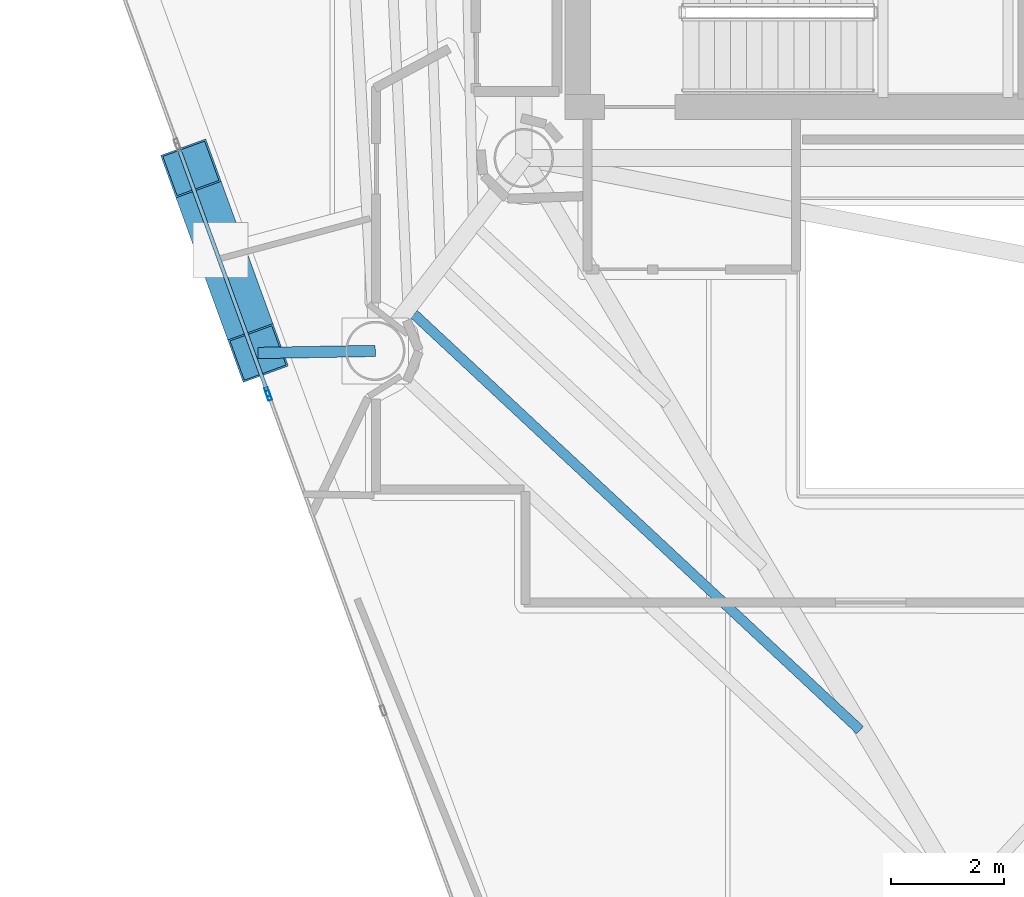
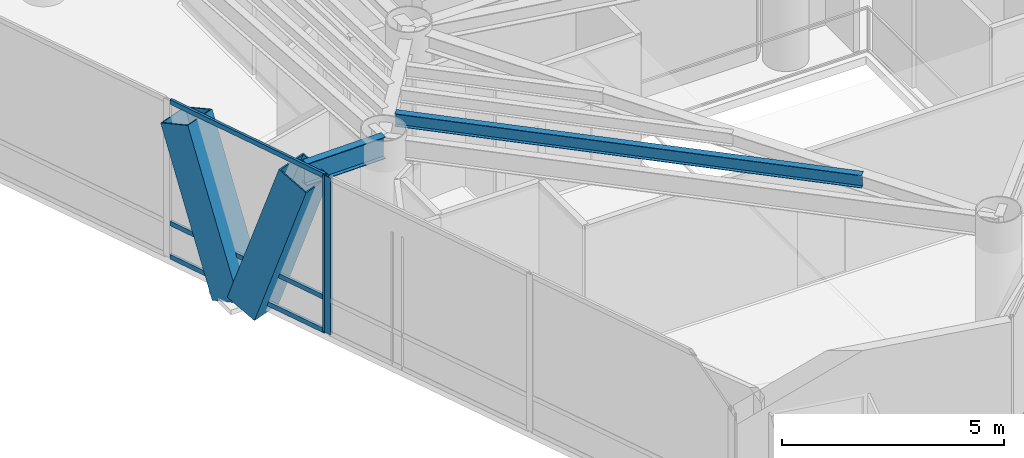
# One storey, part 3 of 21: 7 members, 2 beams, 2 elements without a shape of their own.
"""IFC4 building model written with IfcOpenShell, lengths in metres."""

from ifc_helpers import new_model, si_unit, direction, frame, origin, origin_2d, place, context, subcontext, project, spatial, hollow_rectangle, i_section, extrude, material, layer, layer_set, material_profile, profile_set, type_object, element, aggregate, save


model = new_model("IFC4")

# Units and contexts
model_context = context("Model", 3, precision=1e-05, world=origin(), true_north=direction((0.0, 1.0)))
body_context = subcontext(model_context, "Body", "Model", "MODEL_VIEW")
ifc_project = project(units=[si_unit("LENGTHUNIT", "METRE"), si_unit("AREAUNIT", "SQUARE_METRE"), si_unit("VOLUMEUNIT", "CUBIC_METRE"), si_unit("PLANEANGLEUNIT", "RADIAN"), si_unit("MASSUNIT", "GRAM", prefix="KILO")], contexts=[model_context])

# Site, building, storey
site_placement = place(None, origin())
site = spatial("IfcSite", under=ifc_project, at=site_placement, CompositionType="ELEMENT")
building_placement = place(site_placement, origin())
building = spatial("IfcBuilding", under=site, at=building_placement, Name="Qianvela Tower", CompositionType="ELEMENT")
storey_placement = place(building_placement, frame((0.0, 0.0, 234.5)))
storey = spatial("IfcBuildingStorey", under=building, at=storey_placement, Name="L60", CompositionType="ELEMENT", Elevation=234.5)

# Beams
ifc_material_1 = material(Name="Steel Q355B", Category="steel")
ifc_material_profile_1 = material_profile(ifc_material_1, i_section(OverallWidth=0.175048828125, OverallDepth=0.35009765625, WebThickness=0.007080078125, FlangeThickness=0.010986328125, at=origin_2d()), Name="HN350x175x7x11")
ifc_profile_set_1 = profile_set([ifc_material_profile_1], Name="Steel Q355B")
beam_type_1 = type_object("IfcBeamType", Name="BM-HN350-JOIST", PredefinedType="JOIST", material=ifc_profile_set_1)
beam_1_placement = place(storey_placement, frame((26.656982421875, 21.08837890625, 4.14306640625), z_axis=(0.731358246127, -0.681993486641, 0.0), x_axis=(0.681993486641, 0.731358246127, 0.0)))
element("IfcBeam", 1, at=beam_1_placement, inside=storey, type_object=beam_type_1, Name="L60 Secondary Composite Floor Joist 4.3", PredefinedType="JOIST", context=body_context, shape_type="SweptSolid", body=[
    extrude(i_section(OverallWidth=0.175048828125, OverallDepth=0.35009765625, WebThickness=0.007080078125, FlangeThickness=0.010986328125, at=origin_2d()), origin(), (0.0, 0.0, 1.0), 10.79638671875),
])
ifc_material_2 = material(Name="Steel Q355B", Category="steel")
ifc_material_profile_2 = material_profile(ifc_material_2, i_section(OverallWidth=0.199951171875, OverallDepth=0.60009765625, WebThickness=0.010986328125, FlangeThickness=0.01708984375, at=origin_2d()), Name="HN600x200x11x17")
ifc_profile_set_2 = profile_set([ifc_material_profile_2], Name="Steel Q355B")
beam_type_2 = type_object("IfcBeamType", Name="BM-HN600-GIRD", PredefinedType="BEAM", material=ifc_profile_set_2)
beam_2_placement = place(storey_placement, frame((25.971923828125, 20.43701171875, 4.01806640625), z_axis=(-0.99984224495, -0.01776190341, 0.0), x_axis=(0.01776190341, -0.99984224495, 0.0)))
element("IfcBeam", 2, at=beam_2_placement, inside=storey, type_object=beam_type_2, Name="L60 Mega-Brace Column Tie Bracket F2-2", PredefinedType="BEAM", context=body_context, shape_type="SweptSolid", body=[
    extrude(i_section(OverallWidth=0.199951171875, OverallDepth=0.60009765625, WebThickness=0.010986328125, FlangeThickness=0.01708984375, at=origin_2d()), origin(), (0.0, 0.0, 1.0), 2.075439453125),
])

# Curtain wall, members
ifc_material_3 = material(Name="Anodised Architectural Aluminium and Insulated Spandrel Panel", Category="aluminium")
ifc_layer_1 = layer(ifc_material_3, 0.179931640625)
ifc_layer_set_1 = layer_set([ifc_layer_1], Name="Anodised Architectural Aluminium and Insulated Spandrel Panel")
curtain_wall_type_1 = type_object("IfcCurtainWallType", Name="CW-BRACEBAY", PredefinedType="USERDEFINED", material=ifc_layer_set_1)
curtain_wall_1_placement = place(storey_placement, origin())
curtain_wall_1 = element("IfcCurtainWall", 3, at=curtain_wall_1_placement, inside=storey, type_object=curtain_wall_type_1, Name="L60 CW-BRACEBAY Curtain Wall 04B", ObjectType="CURTAIN_WALL_SYSTEM", PredefinedType="USERDEFINED")
ifc_material_4 = material(Name="Anodised Architectural Aluminium 6063-T6", Category="aluminium")
ifc_material_profile_3 = material_profile(ifc_material_4, hollow_rectangle(XDim=0.06494140625, YDim=0.159912109375, WallThickness=0.0048828125, at=origin_2d()), Name="ALU-MULL-65x160")
ifc_profile_set_3 = profile_set([ifc_material_profile_3], Name="Anodised Architectural Aluminium 6063-T6")
member_type_1 = type_object("IfcMemberType", Name="CW-BRACEBAY-MULL", PredefinedType="MULLION", material=ifc_profile_set_3)
member_1_placement = place(storey_placement, frame((24.0625, 19.71044921875, 0.0), z_axis=(0.0, 0.0, 1.0), x_axis=(0.939695853663, 0.342011260937, 0.0)))
member_1 = element("IfcMember", 4, at=member_1_placement, type_object=member_type_1, Name="CW-9 mullion 2", PredefinedType="MULLION", context=body_context, shape_type="SweptSolid", body=[
    extrude(hollow_rectangle(XDim=0.06494140625, YDim=0.159912109375, WallThickness=0.0048828125, at=origin_2d()), origin(), (0.0, 0.0, 1.0), 4.320068359375),
])
ifc_material_5 = material(Name="Anodised Architectural Aluminium 6063-T6", Category="aluminium")
ifc_material_profile_4 = material_profile(ifc_material_5, hollow_rectangle(XDim=0.06494140625, YDim=0.1298828125, WallThickness=0.00439453125, at=origin_2d()), Name="ALU-TRAN-65x130")
ifc_profile_set_4 = profile_set([ifc_material_profile_4], Name="Anodised Architectural Aluminium 6063-T6")
member_type_2 = type_object("IfcMemberType", Name="CW-BRACEBAY-TRAN", PredefinedType="USERDEFINED", material=ifc_profile_set_4)
member_2_placement = place(storey_placement, frame((22.498779296875, 24.00732421875, 0.032470703125), z_axis=(0.342002106926, -0.939699185303, 0.0), x_axis=(0.939699185303, 0.342002106926, 0.0)))
member_2 = element("IfcMember", 5, at=member_2_placement, type_object=member_type_2, Name="CW-9 transom 1.1", ObjectType="TRANSOM", PredefinedType="USERDEFINED", context=body_context, shape_type="SweptSolid", body=[
    extrude(hollow_rectangle(XDim=0.06494140625, YDim=0.1298828125, WallThickness=0.00439453125, at=origin_2d()), origin(), (0.0, 0.0, 1.0), 4.5400390625),
])
member_3_placement = place(storey_placement, frame((22.498779296875, 24.00732421875, 0.949951171875), z_axis=(0.342002106926, -0.939699185303, 0.0), x_axis=(0.939699185303, 0.342002106926, 0.0)))
member_3 = element("IfcMember", 6, at=member_3_placement, type_object=member_type_2, Name="CW-9 transom 1.2", ObjectType="TRANSOM", PredefinedType="USERDEFINED", context=body_context, shape_type="SweptSolid", body=[
    extrude(hollow_rectangle(XDim=0.06494140625, YDim=0.1298828125, WallThickness=0.00439453125, at=origin_2d()), origin(), (0.0, 0.0, 1.0), 4.5400390625),
])
member_4_placement = place(storey_placement, frame((22.498779296875, 24.00732421875, 4.28759765625), z_axis=(0.342002106926, -0.939699185303, 0.0), x_axis=(0.939699185303, 0.342002106926, 0.0)))
member_4 = element("IfcMember", 7, at=member_4_placement, type_object=member_type_2, Name="CW-9 transom 1.3", ObjectType="TRANSOM", PredefinedType="USERDEFINED", context=body_context, shape_type="SweptSolid", body=[
    extrude(hollow_rectangle(XDim=0.06494140625, YDim=0.1298828125, WallThickness=0.00439453125, at=origin_2d()), origin(), (0.0, 0.0, 1.0), 4.5400390625),
])
aggregate(curtain_wall_1, [member_1, member_2, member_3, member_4])

# Curtain wall, member
ifc_material_6 = material(Name="Anodised Architectural Aluminium and Low-E Glass", Category="aluminium")
ifc_layer_2 = layer(ifc_material_6, 0.18994140625)
ifc_layer_set_2 = layer_set([ifc_layer_2], Name="Anodised Architectural Aluminium and Low-E Glass")
curtain_wall_type_2 = type_object("IfcCurtainWallType", Name="CW-SKYLOBBY", PredefinedType="USERDEFINED", material=ifc_layer_set_2)
curtain_wall_2_placement = place(storey_placement, origin())
curtain_wall_2 = element("IfcCurtainWall", 8, at=curtain_wall_2_placement, inside=storey, type_object=curtain_wall_type_2, Name="L60 CW-SKYLOBBY Curtain Wall 04C", ObjectType="CURTAIN_WALL_SYSTEM", PredefinedType="USERDEFINED")
ifc_material_7 = material(Name="Anodised Architectural Aluminium 6063-T6", Category="aluminium")
ifc_material_profile_5 = material_profile(ifc_material_7, hollow_rectangle(XDim=0.070068359375, YDim=0.179931640625, WallThickness=0.0048828125, at=origin_2d()), Name="ALU-MULL-70x180")
ifc_profile_set_5 = profile_set([ifc_material_profile_5], Name="Anodised Architectural Aluminium 6063-T6")
member_type_3 = type_object("IfcMemberType", Name="CW-SKYLOBBY-MULL", PredefinedType="MULLION", material=ifc_profile_set_5)
member_5_placement = place(storey_placement, frame((24.085693359375, 19.647216796875, 0.0), z_axis=(0.0, 0.0, 1.0), x_axis=(0.939691870439, 0.34202220488, 0.0)))
member_5 = element("IfcMember", 9, at=member_5_placement, type_object=member_type_3, Name="CW-7 mullion 1", PredefinedType="MULLION", context=body_context, shape_type="SweptSolid", body=[
    extrude(hollow_rectangle(XDim=0.070068359375, YDim=0.179931640625, WallThickness=0.0048828125, at=origin_2d()), origin(), (0.0, 0.0, 1.0), 4.320068359375),
])
aggregate(curtain_wall_2, [member_5])

# Members
ifc_material_8 = material(Name="Steel Q420GJC", Category="steel")
ifc_material_profile_6 = material_profile(ifc_material_8, hollow_rectangle(XDim=0.85009765625, YDim=0.85009765625, WallThickness=0.031982421875, at=origin_2d()), Name="MBOX-850x850x32")
ifc_profile_set_6 = profile_set([ifc_material_profile_6], Name="Steel Q420GJC")
member_type_4 = type_object("IfcMemberType", Name="MBR-MBRACE-850", PredefinedType="BRACE", material=ifc_profile_set_6)
for number, where, z_axis, x_axis, name in (
    (10, (23.226806640625, 22.240966796875, -0.179931640625), (-0.116374168518, 0.319700840769, 0.940344843828), (-0.939680737751, -0.342052789931, 0.0), "L60 Tier 10 Exterior Mega-Brace F2A"),
    (11, (23.377197265625, 21.827392578125, -0.179931640625), (0.116374168518, -0.319700840769, 0.940344843828), (0.939680737751, 0.342052789931, 0.0), "L60 Tier 10 Exterior Mega-Brace F2B"),
):
    element("IfcMember", number, at=place(storey_placement, frame(where, z_axis=z_axis, x_axis=x_axis)), inside=storey, type_object=member_type_4, Name=name, PredefinedType="BRACE", context=body_context, shape_type="SweptSolid", body=[
        extrude(hollow_rectangle(XDim=0.85009765625, YDim=0.85009765625, WallThickness=0.031982421875, at=origin_2d()), origin(), (0.0, 0.0, 1.0), 4.46435546875),
    ])

save(model, "model.ifc")
